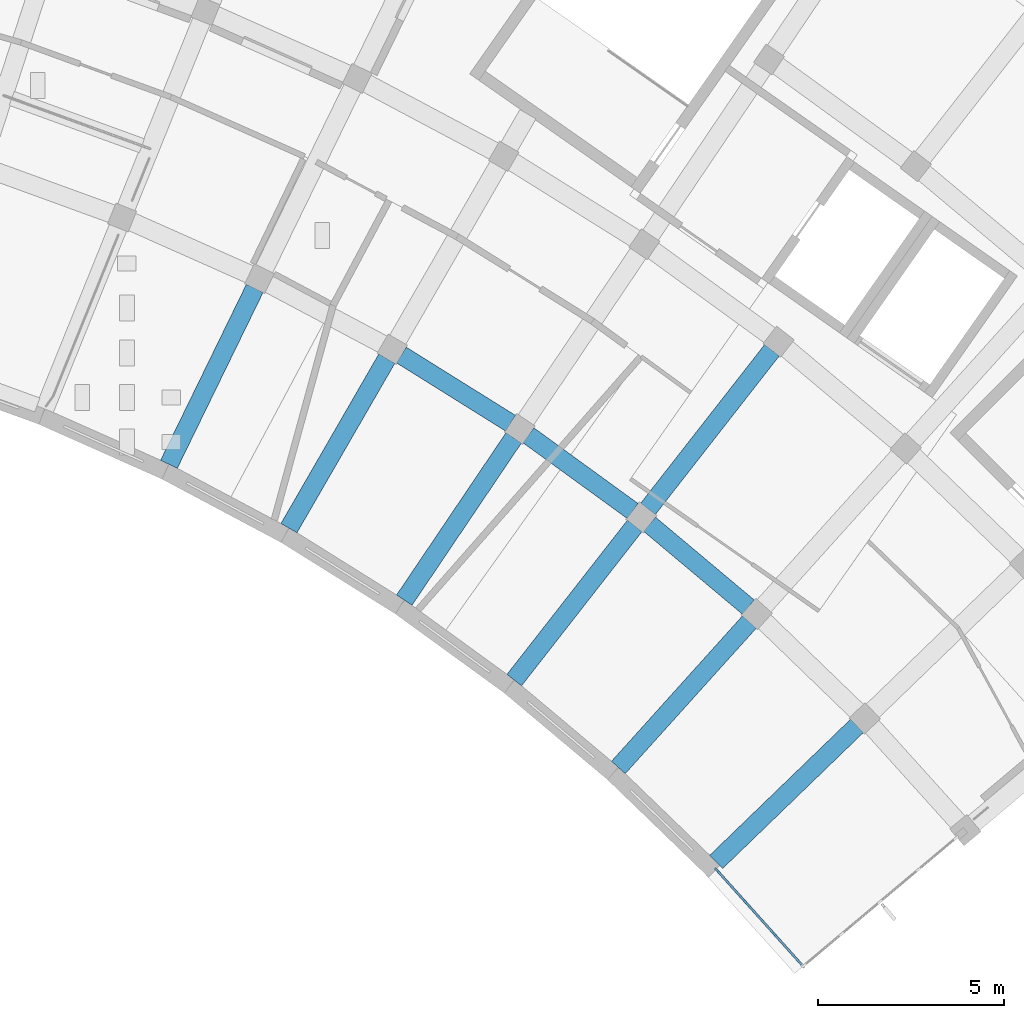
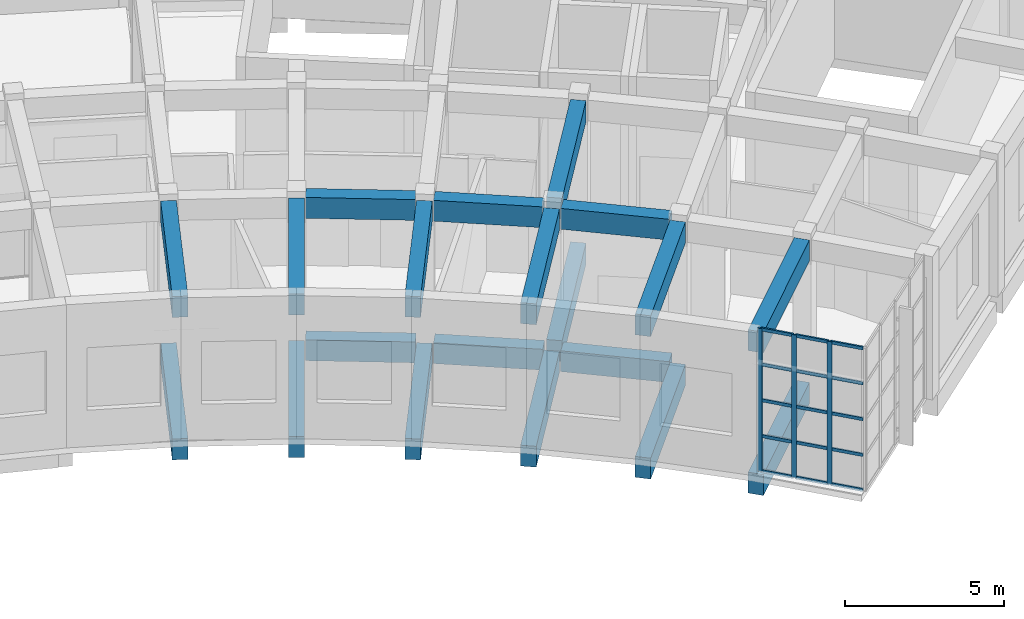
# One storey, part 10 of 94: 20 beams, 18 members, 1 element without a shape of its own.
"""IFC4 building model written with IfcOpenShell, lengths in metres."""

from ifc_helpers import new_model, si_unit, direction, frame, origin, origin_2d, place, context, subcontext, project, spatial, rectangle, extrude, material, layer, layer_set, material_profile, profile_set, type_object, element, aggregate, save


model = new_model("IFC4")

# Units and contexts
model_context = context("Model", 3, precision=1e-05, world=origin(), true_north=direction((0.0, 1.0)))
body_context = subcontext(model_context, "Body", "Model", "MODEL_VIEW")
ifc_project = project(units=[si_unit("LENGTHUNIT", "METRE"), si_unit("AREAUNIT", "SQUARE_METRE"), si_unit("VOLUMEUNIT", "CUBIC_METRE"), si_unit("PLANEANGLEUNIT", "RADIAN"), si_unit("MASSUNIT", "GRAM", prefix="KILO")], contexts=[model_context])

# Site, building, storey
site_placement = place(None, origin())
site = spatial("IfcSite", under=ifc_project, at=site_placement, CompositionType="ELEMENT")
building_placement = place(site_placement, origin())
building = spatial("IfcBuilding", under=site, at=building_placement, Name="Lunette Opera House", CompositionType="ELEMENT")
storey_placement = place(building_placement, frame((0.0, 0.0, 22.5)))
storey = spatial("IfcBuildingStorey", under=building, at=storey_placement, Name="L04", CompositionType="ELEMENT", Elevation=22.5)

# Curtain wall, members
ifc_material_1 = material(Name="Aluminium", Category="aluminium")
ifc_layer = layer(ifc_material_1, 0.159912109375)
ifc_layer_set = layer_set([ifc_layer], Name="Aluminium")
curtain_wall_type = type_object("IfcCurtainWallType", Name="CORNER CURTAIN WALL", PredefinedType="NOTDEFINED", material=ifc_layer_set)
curtain_wall_placement = place(storey_placement, origin())
curtain_wall = element("IfcCurtainWall", 1, at=curtain_wall_placement, inside=storey, type_object=curtain_wall_type, Name="Corner Curtain Wall GC-E1 L04", PredefinedType="NOTDEFINED")
ifc_material_2 = material(Name="Aluminium", Category="aluminium")
ifc_material_profile_1 = material_profile(ifc_material_2, rectangle(XDim=0.06005859375, YDim=0.159912109375, at=origin_2d()), Name="MULLION 60 X 160")
ifc_profile_set_1 = profile_set([ifc_material_profile_1], Name="Aluminium")
member_type_1 = type_object("IfcMemberType", Name="MULLION 60 X 160", PredefinedType="MULLION", material=ifc_profile_set_1)
member_1_placement = place(storey_placement, frame((133.74609375, 36.20068359375, 0.0), z_axis=(0.0, 0.0, 1.0), x_axis=(0.744216793887, 0.667938143615, 0.0)))
member_1 = element("IfcMember", 2, at=member_1_placement, type_object=member_type_1, Name="FC-X2179 mullion 1", PredefinedType="MULLION", context=body_context, shape_type="SweptSolid", body=[
    extrude(rectangle(XDim=0.06005859375, YDim=0.159912109375, at=origin_2d()), origin(), (0.0, 0.0, 1.0), 5.5),
])
member_2_placement = place(storey_placement, frame((134.50537109375, 35.354736328125, 0.0), z_axis=(0.0, 0.0, 1.0), x_axis=(0.744216793887, 0.667938143615, 0.0)))
member_2 = element("IfcMember", 3, at=member_2_placement, type_object=member_type_1, Name="FC-X2179 mullion 2", PredefinedType="MULLION", context=body_context, shape_type="SweptSolid", body=[
    extrude(rectangle(XDim=0.06005859375, YDim=0.159912109375, at=origin_2d()), origin(), (0.0, 0.0, 1.0), 5.5),
])
member_3_placement = place(storey_placement, frame((135.28466796875, 34.486328125, 0.0), z_axis=(0.0, 0.0, 1.0), x_axis=(0.744216793887, 0.667938143615, 0.0)))
member_3 = element("IfcMember", 4, at=member_3_placement, type_object=member_type_1, Name="FC-X2179 mullion 3", PredefinedType="MULLION", context=body_context, shape_type="SweptSolid", body=[
    extrude(rectangle(XDim=0.06005859375, YDim=0.159912109375, at=origin_2d()), origin(), (0.0, 0.0, 1.0), 5.5),
])

# Beams
ifc_material_3 = material(Name="Concrete C35/45", Category="concrete")
ifc_material_profile_2 = material_profile(ifc_material_3, rectangle(XDim=0.5, YDim=0.800048828125, at=origin_2d()), Name="RC BEAM 500X800")
ifc_profile_set_2 = profile_set([ifc_material_profile_2], Name="Concrete C35/45")
beam_type = type_object("IfcBeamType", Name="RC BEAM 500X800", PredefinedType="BEAM", material=ifc_profile_set_2)
beam_1_placement = place(storey_placement, frame((118.988037109375, 47.133056640625, -0.6201171875), z_axis=(0.43840720038, 0.898776460893, 0.0), x_axis=(-0.898776460893, 0.43840720038, 0.0)))
element("IfcBeam", 5, at=beam_1_placement, inside=storey, type_object=beam_type, Name="beam-FC-L04-L04-RB-RL-20-1", PredefinedType="BEAM", context=body_context, shape_type="SweptSolid", body=[
    extrude(rectangle(XDim=0.5, YDim=0.800048828125, at=origin_2d()), origin(), (0.0, 0.0, 1.0), 5.269287109375),
])
for number, where, z_axis, x_axis, name in (
    (6, (122.219970703125, 45.4140625, -0.6201171875), (0.500000488781, 0.866025121586, 0.0), (-0.866025121586, 0.500000488781, 0.0), "beam-FC-L04-L04-RB-RL-21-1"),
    (7, (125.323974609375, 43.47509765625, -0.6201171875), (0.559214239494, 0.829023180826, 0.0), (-0.829023180826, 0.559214239494, 0.0), "beam-FC-L04-L04-RB-RL-22-1"),
):
    element("IfcBeam", number, at=place(storey_placement, frame(where, z_axis=z_axis, x_axis=x_axis)), inside=storey, type_object=beam_type, Name=name, PredefinedType="BEAM", context=body_context, shape_type="SweptSolid", body=[
        extrude(rectangle(XDim=0.5, YDim=0.800048828125, at=origin_2d()), origin(), (0.0, 0.0, 1.0), 5.27001953125),
    ])
beam_2_placement = place(storey_placement, frame((128.284912109375, 41.322998046875, -0.6201171875), z_axis=(0.615706064314, 0.787975914839, 0.0), x_axis=(-0.787975914839, 0.615706064314, 0.0)))
element("IfcBeam", 8, at=beam_2_placement, inside=storey, type_object=beam_type, Name="beam-FC-L04-L04-RB-RL-23-1", PredefinedType="BEAM", context=body_context, shape_type="SweptSolid", body=[
    extrude(rectangle(XDim=0.5, YDim=0.800048828125, at=origin_2d()), origin(), (0.0, 0.0, 1.0), 5.2705078125),
])
beam_3_placement = place(storey_placement, frame((131.886962890625, 45.93310546875, -0.6201171875), z_axis=(0.615694738136, 0.78798476472, 0.0), x_axis=(-0.78798476472, 0.615694738136, 0.0)))
element("IfcBeam", 9, at=beam_3_placement, inside=storey, type_object=beam_type, Name="beam-FC-L04-L04-RB-RL-23-2", PredefinedType="BEAM", context=body_context, shape_type="SweptSolid", body=[
    extrude(rectangle(XDim=0.5, YDim=0.800048828125, at=origin_2d()), origin(), (0.0, 0.0, 1.0), 5.420166015625),
])
beam_4_placement = place(storey_placement, frame((131.089111328125, 38.970947265625, -0.6201171875), z_axis=(0.669220634894, 0.743063753545, 0.0), x_axis=(-0.743063753545, 0.669220634894, 0.0)))
element("IfcBeam", 10, at=beam_4_placement, inside=storey, type_object=beam_type, Name="beam-FC-L04-L04-RB-RL-24-1", PredefinedType="BEAM", context=body_context, shape_type="SweptSolid", body=[
    extrude(rectangle(XDim=0.5, YDim=0.800048828125, at=origin_2d()), origin(), (0.0, 0.0, 1.0), 5.27001953125),
])
beam_5_placement = place(storey_placement, frame((133.721923828125, 36.427978515625, -0.6201171875), z_axis=(0.719321635767, 0.694677179931, 0.0), x_axis=(-0.694677179931, 0.719321635767, 0.0)))
element("IfcBeam", 11, at=beam_5_placement, inside=storey, type_object=beam_type, Name="beam-FC-L04-L04-RB-RL-25-1", PredefinedType="BEAM", context=body_context, shape_type="SweptSolid", body=[
    extrude(rectangle(XDim=0.5, YDim=0.800048828125, at=origin_2d()), origin(), (0.0, 0.0, 1.0), 5.270263671875),
])
beam_6_placement = place(storey_placement, frame((125.24609375, 50.074951171875, -0.6201171875), z_axis=(0.848148581563, -0.52975842003, 0.0), x_axis=(0.52975842003, 0.848148581563, 0.0)))
element("IfcBeam", 12, at=beam_6_placement, inside=storey, type_object=beam_type, Name="beam-FC-L04-L04-RG-AR-M1-RL-21", PredefinedType="BEAM", context=body_context, shape_type="SweptSolid", body=[
    extrude(rectangle(XDim=0.5, YDim=0.800048828125, at=origin_2d()), origin(), (0.0, 0.0, 1.0), 3.467529296875),
])
beam_7_placement = place(storey_placement, frame((128.66796875, 47.9130859375, -0.6201171875), z_axis=(0.80912572479, -0.5876355686, 0.0), x_axis=(0.5876355686, 0.80912572479, 0.0)))
element("IfcBeam", 13, at=beam_7_placement, inside=storey, type_object=beam_type, Name="beam-FC-L04-L04-RG-AR-M1-RL-22", PredefinedType="BEAM", context=body_context, shape_type="SweptSolid", body=[
    extrude(rectangle(XDim=0.5, YDim=0.800048828125, at=origin_2d()), origin(), (0.0, 0.0, 1.0), 3.466552734375),
])
beam_8_placement = place(storey_placement, frame((131.929931640625, 45.51806640625, -0.6201171875), z_axis=(0.76622731236, -0.642569611633, 0.0), x_axis=(0.642569611633, 0.76622731236, 0.0)))
element("IfcBeam", 14, at=beam_8_placement, inside=storey, type_object=beam_type, Name="beam-FC-L04-L04-RG-AR-M1-RL-23", PredefinedType="BEAM", context=body_context, shape_type="SweptSolid", body=[
    extrude(rectangle(XDim=0.5, YDim=0.800048828125, at=origin_2d()), origin(), (0.0, 0.0, 1.0), 3.468994140625),
])
beam_9_placement = place(storey_placement, frame((118.988037109375, 47.133056640625, 4.85009765625), z_axis=(0.43840720038, 0.898776460893, 0.0), x_axis=(-0.898776460893, 0.43840720038, 0.0)))
element("IfcBeam", 15, at=beam_9_placement, inside=storey, type_object=beam_type, Name="beam-FC-L04-RF-RB-RL-20-1", PredefinedType="BEAM", context=body_context, shape_type="SweptSolid", body=[
    extrude(rectangle(XDim=0.5, YDim=0.800048828125, at=origin_2d()), origin(), (0.0, 0.0, 1.0), 5.269287109375),
])
for number, where, z_axis, x_axis, name in (
    (16, (122.219970703125, 45.4140625, 4.85009765625), (0.500000488781, 0.866025121586, 0.0), (-0.866025121586, 0.500000488781, 0.0), "beam-FC-L04-RF-RB-RL-21-1"),
    (17, (125.323974609375, 43.47509765625, 4.85009765625), (0.559214239494, 0.829023180826, 0.0), (-0.829023180826, 0.559214239494, 0.0), "beam-FC-L04-RF-RB-RL-22-1"),
):
    element("IfcBeam", number, at=place(storey_placement, frame(where, z_axis=z_axis, x_axis=x_axis)), inside=storey, type_object=beam_type, Name=name, PredefinedType="BEAM", context=body_context, shape_type="SweptSolid", body=[
        extrude(rectangle(XDim=0.5, YDim=0.800048828125, at=origin_2d()), origin(), (0.0, 0.0, 1.0), 5.27001953125),
    ])
beam_10_placement = place(storey_placement, frame((128.284912109375, 41.322998046875, 4.85009765625), z_axis=(0.615706064314, 0.787975914839, 0.0), x_axis=(-0.787975914839, 0.615706064314, 0.0)))
element("IfcBeam", 18, at=beam_10_placement, inside=storey, type_object=beam_type, Name="beam-FC-L04-RF-RB-RL-23-1", PredefinedType="BEAM", context=body_context, shape_type="SweptSolid", body=[
    extrude(rectangle(XDim=0.5, YDim=0.800048828125, at=origin_2d()), origin(), (0.0, 0.0, 1.0), 5.2705078125),
])
beam_11_placement = place(storey_placement, frame((131.886962890625, 45.93310546875, 4.85009765625), z_axis=(0.615694738136, 0.78798476472, 0.0), x_axis=(-0.78798476472, 0.615694738136, 0.0)))
element("IfcBeam", 19, at=beam_11_placement, inside=storey, type_object=beam_type, Name="beam-FC-L04-RF-RB-RL-23-2", PredefinedType="BEAM", context=body_context, shape_type="SweptSolid", body=[
    extrude(rectangle(XDim=0.5, YDim=0.800048828125, at=origin_2d()), origin(), (0.0, 0.0, 1.0), 5.420166015625),
])
beam_12_placement = place(storey_placement, frame((131.089111328125, 38.970947265625, 4.85009765625), z_axis=(0.669220634894, 0.743063753545, 0.0), x_axis=(-0.743063753545, 0.669220634894, 0.0)))
element("IfcBeam", 20, at=beam_12_placement, inside=storey, type_object=beam_type, Name="beam-FC-L04-RF-RB-RL-24-1", PredefinedType="BEAM", context=body_context, shape_type="SweptSolid", body=[
    extrude(rectangle(XDim=0.5, YDim=0.800048828125, at=origin_2d()), origin(), (0.0, 0.0, 1.0), 5.27001953125),
])
beam_13_placement = place(storey_placement, frame((133.721923828125, 36.427978515625, 4.85009765625), z_axis=(0.719321635767, 0.694677179931, 0.0), x_axis=(-0.694677179931, 0.719321635767, 0.0)))
element("IfcBeam", 21, at=beam_13_placement, inside=storey, type_object=beam_type, Name="beam-FC-L04-RF-RB-RL-25-1", PredefinedType="BEAM", context=body_context, shape_type="SweptSolid", body=[
    extrude(rectangle(XDim=0.5, YDim=0.800048828125, at=origin_2d()), origin(), (0.0, 0.0, 1.0), 5.270263671875),
])
beam_14_placement = place(storey_placement, frame((125.24609375, 50.074951171875, 4.85009765625), z_axis=(0.848148581563, -0.52975842003, 0.0), x_axis=(0.52975842003, 0.848148581563, 0.0)))
element("IfcBeam", 22, at=beam_14_placement, inside=storey, type_object=beam_type, Name="beam-FC-L04-RF-RG-AR-M1-RL-21", PredefinedType="BEAM", context=body_context, shape_type="SweptSolid", body=[
    extrude(rectangle(XDim=0.5, YDim=0.800048828125, at=origin_2d()), origin(), (0.0, 0.0, 1.0), 3.467529296875),
])
beam_15_placement = place(storey_placement, frame((128.66796875, 47.9130859375, 4.85009765625), z_axis=(0.80912572479, -0.5876355686, 0.0), x_axis=(0.5876355686, 0.80912572479, 0.0)))
element("IfcBeam", 23, at=beam_15_placement, inside=storey, type_object=beam_type, Name="beam-FC-L04-RF-RG-AR-M1-RL-22", PredefinedType="BEAM", context=body_context, shape_type="SweptSolid", body=[
    extrude(rectangle(XDim=0.5, YDim=0.800048828125, at=origin_2d()), origin(), (0.0, 0.0, 1.0), 3.466552734375),
])
beam_16_placement = place(storey_placement, frame((131.929931640625, 45.51806640625, 4.85009765625), z_axis=(0.76622731236, -0.642569611633, 0.0), x_axis=(0.642569611633, 0.76622731236, 0.0)))
element("IfcBeam", 24, at=beam_16_placement, inside=storey, type_object=beam_type, Name="beam-FC-L04-RF-RG-AR-M1-RL-23", PredefinedType="BEAM", context=body_context, shape_type="SweptSolid", body=[
    extrude(rectangle(XDim=0.5, YDim=0.800048828125, at=origin_2d()), origin(), (0.0, 0.0, 1.0), 3.468994140625),
])

# Member
ifc_material_4 = material(Name="Aluminium", Category="aluminium")
ifc_material_profile_3 = material_profile(ifc_material_4, rectangle(XDim=0.06005859375, YDim=0.1201171875, at=origin_2d()), Name="TRANSOM 60 X 120")
ifc_profile_set_3 = profile_set([ifc_material_profile_3], Name="Aluminium")
member_type_2 = type_object("IfcMemberType", Name="TRANSOM 60 X 120", PredefinedType="USERDEFINED", material=ifc_profile_set_3)
member_4_placement = place(storey_placement, frame((133.76611328125, 36.178466796875, 0.030029296875), z_axis=(0.667874323451, -0.744274067851, 0.0), x_axis=(0.744274067851, 0.667874323451, 0.0)))
member_4 = element("IfcMember", 25, at=member_4_placement, type_object=member_type_2, Name="FC-X2179 transom 1.1", ObjectType="TRANSOM", PredefinedType="USERDEFINED", context=body_context, shape_type="SweptSolid", body=[
    extrude(rectangle(XDim=0.06005859375, YDim=0.1201171875, at=origin_2d()), origin(), (0.0, 0.0, 1.0), 1.076904296875),
])

member_5_placement = place(storey_placement, frame((133.76611328125, 36.178466796875, 1.375), z_axis=(0.667874323451, -0.744274067851, 0.0), x_axis=(0.744274067851, 0.667874323451, 0.0)))
member_5 = element("IfcMember", 26, at=member_5_placement, type_object=member_type_2, Name="FC-X2179 transom 1.2", ObjectType="TRANSOM", PredefinedType="USERDEFINED", context=body_context, shape_type="SweptSolid", body=[
    extrude(rectangle(XDim=0.06005859375, YDim=0.1201171875, at=origin_2d()), origin(), (0.0, 0.0, 1.0), 1.076904296875),
])

member_6_placement = place(storey_placement, frame((133.76611328125, 36.178466796875, 2.75), z_axis=(0.667874323451, -0.744274067851, 0.0), x_axis=(0.744274067851, 0.667874323451, 0.0)))
member_6 = element("IfcMember", 27, at=member_6_placement, type_object=member_type_2, Name="FC-X2179 transom 1.3", ObjectType="TRANSOM", PredefinedType="USERDEFINED", context=body_context, shape_type="SweptSolid", body=[
    extrude(rectangle(XDim=0.06005859375, YDim=0.1201171875, at=origin_2d()), origin(), (0.0, 0.0, 1.0), 1.076904296875),
])

member_7_placement = place(storey_placement, frame((133.76611328125, 36.178466796875, 4.125), z_axis=(0.667874323451, -0.744274067851, 0.0), x_axis=(0.744274067851, 0.667874323451, 0.0)))
member_7 = element("IfcMember", 28, at=member_7_placement, type_object=member_type_2, Name="FC-X2179 transom 1.4", ObjectType="TRANSOM", PredefinedType="USERDEFINED", context=body_context, shape_type="SweptSolid", body=[
    extrude(rectangle(XDim=0.06005859375, YDim=0.1201171875, at=origin_2d()), origin(), (0.0, 0.0, 1.0), 1.076904296875),
])

member_8_placement = place(storey_placement, frame((133.76611328125, 36.178466796875, 5.469970703125), z_axis=(0.667874323451, -0.744274067851, 0.0), x_axis=(0.744274067851, 0.667874323451, 0.0)))
member_8 = element("IfcMember", 29, at=member_8_placement, type_object=member_type_2, Name="FC-X2179 transom 1.5", ObjectType="TRANSOM", PredefinedType="USERDEFINED", context=body_context, shape_type="SweptSolid", body=[
    extrude(rectangle(XDim=0.06005859375, YDim=0.1201171875, at=origin_2d()), origin(), (0.0, 0.0, 1.0), 1.076904296875),
])

member_9_placement = place(storey_placement, frame((134.525390625, 35.332275390625, 0.030029296875), z_axis=(0.667916007316, -0.744236660728, 0.0), x_axis=(0.744236660728, 0.667916007316, 0.0)))
member_9 = element("IfcMember", 30, at=member_9_placement, type_object=member_type_2, Name="FC-X2179 transom 2.1", ObjectType="TRANSOM", PredefinedType="USERDEFINED", context=body_context, shape_type="SweptSolid", body=[
    extrude(rectangle(XDim=0.06005859375, YDim=0.1201171875, at=origin_2d()), origin(), (0.0, 0.0, 1.0), 1.10693359375),
])

member_10_placement = place(storey_placement, frame((134.525390625, 35.332275390625, 1.375), z_axis=(0.667916007316, -0.744236660728, 0.0), x_axis=(0.744236660728, 0.667916007316, 0.0)))
member_10 = element("IfcMember", 31, at=member_10_placement, type_object=member_type_2, Name="FC-X2179 transom 2.2", ObjectType="TRANSOM", PredefinedType="USERDEFINED", context=body_context, shape_type="SweptSolid", body=[
    extrude(rectangle(XDim=0.06005859375, YDim=0.1201171875, at=origin_2d()), origin(), (0.0, 0.0, 1.0), 1.10693359375),
])

member_11_placement = place(storey_placement, frame((134.525390625, 35.332275390625, 2.75), z_axis=(0.667916007316, -0.744236660728, 0.0), x_axis=(0.744236660728, 0.667916007316, 0.0)))
member_11 = element("IfcMember", 32, at=member_11_placement, type_object=member_type_2, Name="FC-X2179 transom 2.3", ObjectType="TRANSOM", PredefinedType="USERDEFINED", context=body_context, shape_type="SweptSolid", body=[
    extrude(rectangle(XDim=0.06005859375, YDim=0.1201171875, at=origin_2d()), origin(), (0.0, 0.0, 1.0), 1.10693359375),
])

member_12_placement = place(storey_placement, frame((134.525390625, 35.332275390625, 4.125), z_axis=(0.667916007316, -0.744236660728, 0.0), x_axis=(0.744236660728, 0.667916007316, 0.0)))
member_12 = element("IfcMember", 33, at=member_12_placement, type_object=member_type_2, Name="FC-X2179 transom 2.4", ObjectType="TRANSOM", PredefinedType="USERDEFINED", context=body_context, shape_type="SweptSolid", body=[
    extrude(rectangle(XDim=0.06005859375, YDim=0.1201171875, at=origin_2d()), origin(), (0.0, 0.0, 1.0), 1.10693359375),
])

member_13_placement = place(storey_placement, frame((134.525390625, 35.332275390625, 5.469970703125), z_axis=(0.667916007316, -0.744236660728, 0.0), x_axis=(0.744236660728, 0.667916007316, 0.0)))
member_13 = element("IfcMember", 34, at=member_13_placement, type_object=member_type_2, Name="FC-X2179 transom 2.5", ObjectType="TRANSOM", PredefinedType="USERDEFINED", context=body_context, shape_type="SweptSolid", body=[
    extrude(rectangle(XDim=0.06005859375, YDim=0.1201171875, at=origin_2d()), origin(), (0.0, 0.0, 1.0), 1.10693359375),
])

member_14_placement = place(storey_placement, frame((135.3046875, 34.464111328125, 0.030029296875), z_axis=(0.667874323451, -0.744274067851, 0.0), x_axis=(0.744274067851, 0.667874323451, 0.0)))
member_14 = element("IfcMember", 35, at=member_14_placement, type_object=member_type_2, Name="FC-X2179 transom 3.1", ObjectType="TRANSOM", PredefinedType="USERDEFINED", context=body_context, shape_type="SweptSolid", body=[
    extrude(rectangle(XDim=0.06005859375, YDim=0.1201171875, at=origin_2d()), origin(), (0.0, 0.0, 1.0), 1.076904296875),
])

member_15_placement = place(storey_placement, frame((135.3046875, 34.464111328125, 1.375), z_axis=(0.667874323451, -0.744274067851, 0.0), x_axis=(0.744274067851, 0.667874323451, 0.0)))
member_15 = element("IfcMember", 36, at=member_15_placement, type_object=member_type_2, Name="FC-X2179 transom 3.2", ObjectType="TRANSOM", PredefinedType="USERDEFINED", context=body_context, shape_type="SweptSolid", body=[
    extrude(rectangle(XDim=0.06005859375, YDim=0.1201171875, at=origin_2d()), origin(), (0.0, 0.0, 1.0), 1.076904296875),
])

member_16_placement = place(storey_placement, frame((135.3046875, 34.464111328125, 2.75), z_axis=(0.667874323451, -0.744274067851, 0.0), x_axis=(0.744274067851, 0.667874323451, 0.0)))
member_16 = element("IfcMember", 37, at=member_16_placement, type_object=member_type_2, Name="FC-X2179 transom 3.3", ObjectType="TRANSOM", PredefinedType="USERDEFINED", context=body_context, shape_type="SweptSolid", body=[
    extrude(rectangle(XDim=0.06005859375, YDim=0.1201171875, at=origin_2d()), origin(), (0.0, 0.0, 1.0), 1.076904296875),
])

member_17_placement = place(storey_placement, frame((135.3046875, 34.464111328125, 4.125), z_axis=(0.667874323451, -0.744274067851, 0.0), x_axis=(0.744274067851, 0.667874323451, 0.0)))
member_17 = element("IfcMember", 38, at=member_17_placement, type_object=member_type_2, Name="FC-X2179 transom 3.4", ObjectType="TRANSOM", PredefinedType="USERDEFINED", context=body_context, shape_type="SweptSolid", body=[
    extrude(rectangle(XDim=0.06005859375, YDim=0.1201171875, at=origin_2d()), origin(), (0.0, 0.0, 1.0), 1.076904296875),
])

member_18_placement = place(storey_placement, frame((135.3046875, 34.464111328125, 5.469970703125), z_axis=(0.667874323451, -0.744274067851, 0.0), x_axis=(0.744274067851, 0.667874323451, 0.0)))
member_18 = element("IfcMember", 39, at=member_18_placement, type_object=member_type_2, Name="FC-X2179 transom 3.5", ObjectType="TRANSOM", PredefinedType="USERDEFINED", context=body_context, shape_type="SweptSolid", body=[
    extrude(rectangle(XDim=0.06005859375, YDim=0.1201171875, at=origin_2d()), origin(), (0.0, 0.0, 1.0), 1.076904296875),
])

aggregate(curtain_wall, [member_1, member_2, member_3, member_4, member_5, member_6, member_7, member_8, member_9, member_10, member_11, member_12, member_13, member_14, member_15, member_16, member_17, member_18])

save(model, "model.ifc")
